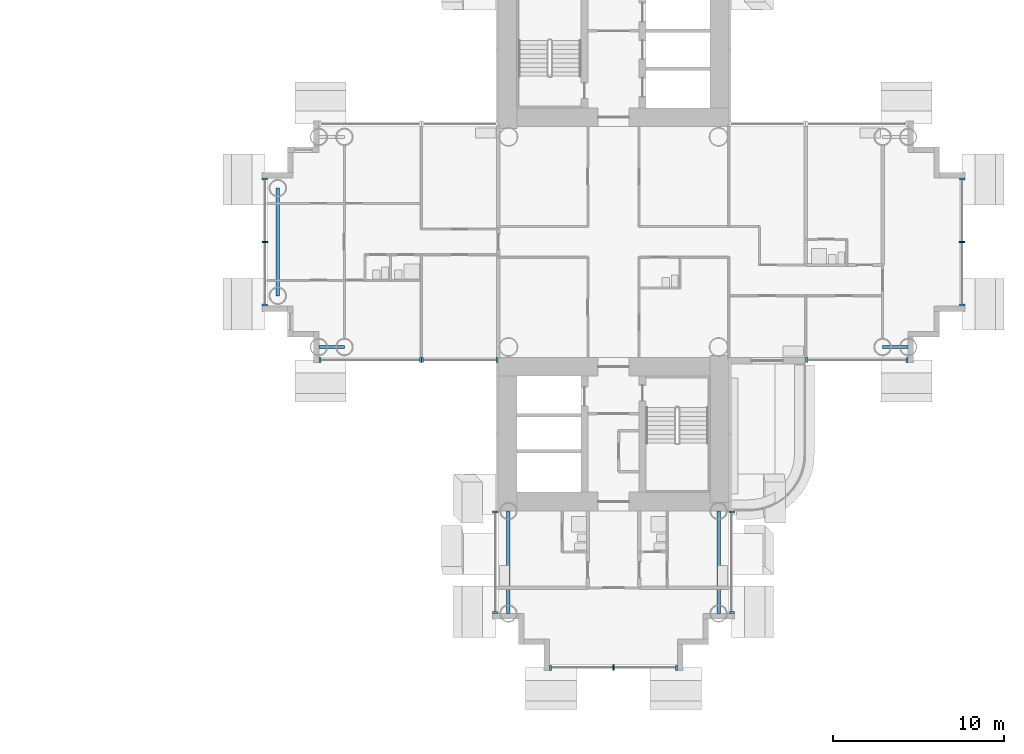
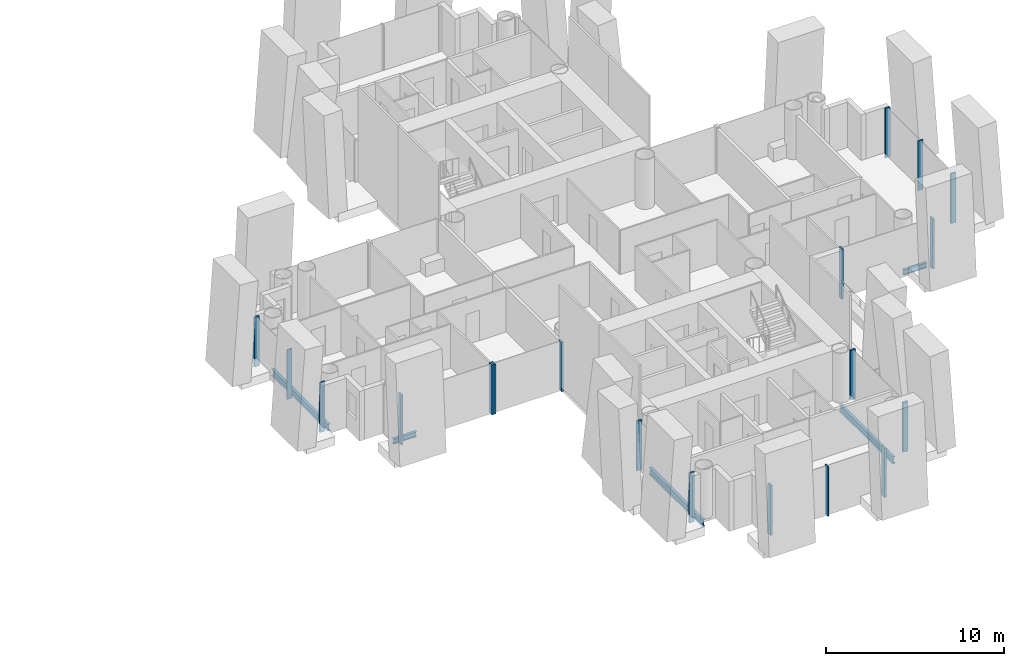
# One storey, part 6 of 25: 19 members, 5 beams, 8 elements without a shape of their own.
"""IFC4 building model written with IfcOpenShell, lengths in metres."""

from ifc_helpers import new_model, si_unit, direction, frame, origin, origin_2d, place, context, subcontext, project, spatial, rectangle, i_section, extrude, material, layer, layer_set, material_profile, profile_set, type_object, element, aggregate, save


model = new_model("IFC4")

# Units and contexts
model_context = context("Model", 3, precision=1e-05, world=origin(), true_north=direction((0.0, 1.0)))
body_context = subcontext(model_context, "Body", "Model", "MODEL_VIEW")
ifc_project = project(units=[si_unit("LENGTHUNIT", "METRE"), si_unit("AREAUNIT", "SQUARE_METRE"), si_unit("VOLUMEUNIT", "CUBIC_METRE"), si_unit("PLANEANGLEUNIT", "RADIAN"), si_unit("MASSUNIT", "GRAM", prefix="KILO")], contexts=[model_context])

# Site, building, storey
site_placement = place(None, origin())
site = spatial("IfcSite", under=ifc_project, at=site_placement, CompositionType="ELEMENT")
building_placement = place(site_placement, origin())
building = spatial("IfcBuilding", under=site, at=building_placement, Name="Ipe Terrace Towers", CompositionType="ELEMENT")
storey_placement = place(building_placement, frame((0.0, 0.0, 31.300048828125)))
storey = spatial("IfcBuildingStorey", under=building, at=storey_placement, Name="L07", CompositionType="ELEMENT", Elevation=31.300048828125)

# Beams
ifc_material_1 = material(Name="Steel S355", Category="steel")
ifc_material_profile_1 = material_profile(ifc_material_1, i_section(OverallWidth=0.175048828125, OverallDepth=0.35009765625, WebThickness=0.007080078125, FlangeThickness=0.010986328125, at=origin_2d()), Name="H-350x175x7x11")
ifc_profile_set_1 = profile_set([ifc_material_profile_1], Name="Steel S355")
beam_type_1 = type_object("IfcBeamType", Name="H04 EDGE BEAM H-350x175x7x11", PredefinedType="BEAM", material=ifc_profile_set_1)
for number, where, z_axis, x_axis, name in (
    (1, (20.25, -6.14990234375, -0.574951171875), (-1.0, 0.0, 0.0), (0.0, -1.0, 0.0), "Edge beam T2-EB-B04-B06"),
    (2, (51.75, -6.14990234375, -0.574951171875), (1.0, 0.0, 0.0), (0.0, 1.0, 0.0), "Edge beam T2-EB-D03-D05"),
):
    element("IfcBeam", number, at=place(storey_placement, frame(where, z_axis=z_axis, x_axis=x_axis)), inside=storey, type_object=beam_type_1, Name=name, PredefinedType="BEAM", context=body_context, shape_type="SweptSolid", body=[
        extrude(i_section(OverallWidth=0.175048828125, OverallDepth=0.35009765625, WebThickness=0.007080078125, FlangeThickness=0.010986328125, at=origin_2d()), origin(), (0.0, 0.0, 1.0), 1.5),
    ])
ifc_material_2 = material(Name="Steel S355", Category="steel")
ifc_material_profile_2 = material_profile(ifc_material_2, i_section(OverallWidth=0.199951171875, OverallDepth=0.449951171875, WebThickness=0.009033203125, FlangeThickness=0.013916015625, at=origin_2d()), Name="H-450x200x9x14")
ifc_profile_set_2 = profile_set([ifc_material_profile_2], Name="Steel S355")
beam_type_2 = type_object("IfcBeamType", Name="H08 EDGE BEAM H-450x200x9x14", PredefinedType="BEAM", material=ifc_profile_set_2)
beam_placement = place(storey_placement, frame((16.35009765625, 3.14990234375, -0.625), z_axis=(0.0, -1.0, 0.0), x_axis=(1.0, 0.0, 0.0)))
element("IfcBeam", 3, at=beam_placement, inside=storey, type_object=beam_type_2, Name="Edge beam T2-EB-B07-B08", PredefinedType="BEAM", context=body_context, shape_type="SweptSolid", body=[
    extrude(i_section(OverallWidth=0.199951171875, OverallDepth=0.449951171875, WebThickness=0.009033203125, FlangeThickness=0.013916015625, at=origin_2d()), origin(), (0.0, 0.0, 1.0), 6.2998046875),
])
for number, where, z_axis, x_axis, name in (
    (4, (42.14990234375, -15.75, -0.625), (0.0, -1.0, 0.0), (1.0, 0.0, 0.0), "Edge beam T2-EB-C01-C03"),
    (5, (29.85009765625, -15.75, -0.625), (0.0, -1.0, 0.0), (1.0, 0.0, 0.0), "Edge beam T2-EB-C02-C04"),
):
    element("IfcBeam", number, at=place(storey_placement, frame(where, z_axis=z_axis, x_axis=x_axis)), inside=storey, type_object=beam_type_2, Name=name, PredefinedType="BEAM", context=body_context, shape_type="SweptSolid", body=[
        extrude(i_section(OverallWidth=0.199951171875, OverallDepth=0.449951171875, WebThickness=0.009033203125, FlangeThickness=0.013916015625, at=origin_2d()), origin(), (0.0, 0.0, 1.0), 6.0),
    ])

# Curtain wall, members
ifc_material_3 = material(Name="Aluminium alloy 6063-T6", Category="aluminium")
ifc_layer = layer(ifc_material_3, 0.320068359375)
ifc_layer_set = layer_set([ifc_layer], Name="TOWER UNITISED CURTAIN WALL")
curtain_wall_type = type_object("IfcCurtainWallType", Name="TOWER UNITISED CURTAIN WALL", PredefinedType="NOTDEFINED", material=ifc_layer_set)
curtain_wall_1_placement = place(storey_placement, origin())
curtain_wall_1 = element("IfcCurtainWall", 6, at=curtain_wall_1_placement, inside=storey, type_object=curtain_wall_type, Name="T2-CW-L07-04a curtain wall", PredefinedType="NOTDEFINED")
ifc_material_4 = material(Name="Aluminium alloy 6063-T6", Category="aluminium")
ifc_material_profile_3 = material_profile(ifc_material_4, rectangle(XDim=0.320068359375, YDim=0.1201171875, at=origin_2d()), Name="TOWER UNITISED CORNER MULLION 320 x 120")
ifc_profile_set_3 = profile_set([ifc_material_profile_3], Name="Aluminium alloy 6063-T6")
member_type_1 = type_object("IfcMemberType", Name="TOWER UNITISED CORNER MULLION 320 x 120", PredefinedType="MULLION", material=ifc_profile_set_3)
member_1_placement = place(storey_placement, frame((42.909912109375, -21.68994140625, -0.300048828125), z_axis=(0.0, 0.0, 1.0), x_axis=(1.0, 0.0, 0.0)))
member_1 = element("IfcMember", 7, at=member_1_placement, type_object=member_type_1, Name="T2-CW-L07-04a mullion 1", PredefinedType="MULLION", context=body_context, shape_type="SweptSolid", body=[
    extrude(rectangle(XDim=0.320068359375, YDim=0.1201171875, at=origin_2d()), origin(), (0.0, 0.0, 1.0), 3.39990234375),
])
member_2_placement = place(storey_placement, frame((42.909912109375, -15.81103515625, -0.300048828125), z_axis=(0.0, 0.0, 1.0), x_axis=(1.0, 0.0, 0.0)))
member_2 = element("IfcMember", 8, at=member_2_placement, type_object=member_type_1, Name="T2-CW-L07-04a mullion 2", PredefinedType="MULLION", context=body_context, shape_type="SweptSolid", body=[
    extrude(rectangle(XDim=0.320068359375, YDim=0.1201171875, at=origin_2d()), origin(), (0.0, 0.0, 1.0), 3.39990234375),
])
aggregate(curtain_wall_1, [member_1, member_2])

curtain_wall_2_placement = place(storey_placement, origin())
curtain_wall_2 = element("IfcCurtainWall", 9, at=curtain_wall_2_placement, inside=storey, type_object=curtain_wall_type, Name="T2-CW-L07-07a curtain wall", PredefinedType="NOTDEFINED")
member_3_placement = place(storey_placement, frame((47.31005859375, -6.909912109375, -0.300048828125), z_axis=(0.0, 0.0, 1.0), x_axis=(0.0, -1.0, 0.0)))
member_3 = element("IfcMember", 10, at=member_3_placement, type_object=member_type_1, Name="T2-CW-L07-07a mullion 1", PredefinedType="MULLION", context=body_context, shape_type="SweptSolid", body=[
    extrude(rectangle(XDim=0.320068359375, YDim=0.1201171875, at=origin_2d()), origin(), (0.0, 0.0, 1.0), 3.39990234375),
])
member_4_placement = place(storey_placement, frame((53.18994140625, -6.909912109375, -0.300048828125), z_axis=(0.0, 0.0, 1.0), x_axis=(0.0, -1.0, 0.0)))
member_4 = element("IfcMember", 11, at=member_4_placement, type_object=member_type_1, Name="T2-CW-L07-07a mullion 2", PredefinedType="MULLION", context=body_context, shape_type="SweptSolid", body=[
    extrude(rectangle(XDim=0.320068359375, YDim=0.1201171875, at=origin_2d()), origin(), (0.0, 0.0, 1.0), 3.39990234375),
])
aggregate(curtain_wall_2, [member_3, member_4])

curtain_wall_3_placement = place(storey_placement, origin())
curtain_wall_3 = element("IfcCurtainWall", 12, at=curtain_wall_3_placement, inside=storey, type_object=curtain_wall_type, Name="T2-CW-L07-12a curtain wall", PredefinedType="NOTDEFINED")
member_5_placement = place(storey_placement, frame((56.409912109375, -3.68994140625, -0.300048828125), z_axis=(0.0, 0.0, 1.0), x_axis=(1.0, 0.0, 0.0)))
member_5 = element("IfcMember", 13, at=member_5_placement, type_object=member_type_1, Name="T2-CW-L07-12a mullion 1", PredefinedType="MULLION", context=body_context, shape_type="SweptSolid", body=[
    extrude(rectangle(XDim=0.320068359375, YDim=0.1201171875, at=origin_2d()), origin(), (0.0, 0.0, 1.0), 3.39990234375),
])
member_6_placement = place(storey_placement, frame((56.409912109375, 3.68994140625, -0.300048828125), z_axis=(0.0, 0.0, 1.0), x_axis=(1.0, 0.0, 0.0)))
member_6 = element("IfcMember", 14, at=member_6_placement, type_object=member_type_1, Name="T2-CW-L07-12a mullion 3", PredefinedType="MULLION", context=body_context, shape_type="SweptSolid", body=[
    extrude(rectangle(XDim=0.320068359375, YDim=0.1201171875, at=origin_2d()), origin(), (0.0, 0.0, 1.0), 3.39990234375),
])

curtain_wall_4_placement = place(storey_placement, origin())
curtain_wall_4 = element("IfcCurtainWall", 15, at=curtain_wall_4_placement, inside=storey, type_object=curtain_wall_type, Name="T2-CW-L07-38a curtain wall", PredefinedType="NOTDEFINED")
member_7_placement = place(storey_placement, frame((15.590087890625, 3.68994140625, -0.300048828125), z_axis=(0.0, 0.0, 1.0), x_axis=(-1.0, 0.0, 0.0)))
member_7 = element("IfcMember", 16, at=member_7_placement, type_object=member_type_1, Name="T2-CW-L07-38a mullion 1", PredefinedType="MULLION", context=body_context, shape_type="SweptSolid", body=[
    extrude(rectangle(XDim=0.320068359375, YDim=0.1201171875, at=origin_2d()), origin(), (0.0, 0.0, 1.0), 3.39990234375),
])
member_8_placement = place(storey_placement, frame((15.590087890625, -3.68994140625, -0.300048828125), z_axis=(0.0, 0.0, 1.0), x_axis=(-1.0, 0.0, 0.0)))
member_8 = element("IfcMember", 17, at=member_8_placement, type_object=member_type_1, Name="T2-CW-L07-38a mullion 3", PredefinedType="MULLION", context=body_context, shape_type="SweptSolid", body=[
    extrude(rectangle(XDim=0.320068359375, YDim=0.1201171875, at=origin_2d()), origin(), (0.0, 0.0, 1.0), 3.39990234375),
])

curtain_wall_5_placement = place(storey_placement, origin())
curtain_wall_5 = element("IfcCurtainWall", 18, at=curtain_wall_5_placement, inside=storey, type_object=curtain_wall_type, Name="T2-CW-L07-43a curtain wall", PredefinedType="NOTDEFINED")
member_9_placement = place(storey_placement, frame((18.81005859375, -6.909912109375, -0.300048828125), z_axis=(0.0, 0.0, 1.0), x_axis=(0.0, -1.0, 0.0)))
member_9 = element("IfcMember", 19, at=member_9_placement, type_object=member_type_1, Name="T2-CW-L07-43a mullion 1", PredefinedType="MULLION", context=body_context, shape_type="SweptSolid", body=[
    extrude(rectangle(XDim=0.320068359375, YDim=0.1201171875, at=origin_2d()), origin(), (0.0, 0.0, 1.0), 3.39990234375),
])
member_10_placement = place(storey_placement, frame((24.68994140625, -6.909912109375, -0.300048828125), z_axis=(0.0, 0.0, 1.0), x_axis=(0.0, -1.0, 0.0)))
member_10 = element("IfcMember", 20, at=member_10_placement, type_object=member_type_1, Name="T2-CW-L07-43a mullion 2", PredefinedType="MULLION", context=body_context, shape_type="SweptSolid", body=[
    extrude(rectangle(XDim=0.320068359375, YDim=0.1201171875, at=origin_2d()), origin(), (0.0, 0.0, 1.0), 3.39990234375),
])
aggregate(curtain_wall_5, [member_9, member_10])

curtain_wall_6_placement = place(storey_placement, origin())
curtain_wall_6 = element("IfcCurtainWall", 21, at=curtain_wall_6_placement, inside=storey, type_object=curtain_wall_type, Name="T2-CW-L07-44a curtain wall", PredefinedType="NOTDEFINED")
member_11_placement = place(storey_placement, frame((24.81005859375, -6.909912109375, -0.300048828125), z_axis=(0.0, 0.0, 1.0), x_axis=(0.0, -1.0, 0.0)))
member_11 = element("IfcMember", 22, at=member_11_placement, type_object=member_type_1, Name="T2-CW-L07-44a mullion 1", PredefinedType="MULLION", context=body_context, shape_type="SweptSolid", body=[
    extrude(rectangle(XDim=0.320068359375, YDim=0.1201171875, at=origin_2d()), origin(), (0.0, 0.0, 1.0), 3.39990234375),
])
member_12_placement = place(storey_placement, frame((29.18994140625, -6.909912109375, -0.300048828125), z_axis=(0.0, 0.0, 1.0), x_axis=(0.0, -1.0, 0.0)))
member_12 = element("IfcMember", 23, at=member_12_placement, type_object=member_type_1, Name="T2-CW-L07-44a mullion 2", PredefinedType="MULLION", context=body_context, shape_type="SweptSolid", body=[
    extrude(rectangle(XDim=0.320068359375, YDim=0.1201171875, at=origin_2d()), origin(), (0.0, 0.0, 1.0), 3.39990234375),
])
aggregate(curtain_wall_6, [member_11, member_12])

curtain_wall_7_placement = place(storey_placement, origin())
curtain_wall_7 = element("IfcCurtainWall", 24, at=curtain_wall_7_placement, inside=storey, type_object=curtain_wall_type, Name="T2-CW-L07-46b curtain wall", PredefinedType="NOTDEFINED")
member_13_placement = place(storey_placement, frame((29.090087890625, -15.81103515625, -0.300048828125), z_axis=(0.0, 0.0, 1.0), x_axis=(-1.0, 0.0, 0.0)))
member_13 = element("IfcMember", 25, at=member_13_placement, type_object=member_type_1, Name="T2-CW-L07-46b mullion 1", PredefinedType="MULLION", context=body_context, shape_type="SweptSolid", body=[
    extrude(rectangle(XDim=0.320068359375, YDim=0.1201171875, at=origin_2d()), origin(), (0.0, 0.0, 1.0), 3.39990234375),
])
member_14_placement = place(storey_placement, frame((29.090087890625, -21.68994140625, -0.300048828125), z_axis=(0.0, 0.0, 1.0), x_axis=(-1.0, 0.0, 0.0)))
member_14 = element("IfcMember", 26, at=member_14_placement, type_object=member_type_1, Name="T2-CW-L07-46b mullion 2", PredefinedType="MULLION", context=body_context, shape_type="SweptSolid", body=[
    extrude(rectangle(XDim=0.320068359375, YDim=0.1201171875, at=origin_2d()), origin(), (0.0, 0.0, 1.0), 3.39990234375),
])
aggregate(curtain_wall_7, [member_13, member_14])

curtain_wall_8_placement = place(storey_placement, origin())
curtain_wall_8 = element("IfcCurtainWall", 27, at=curtain_wall_8_placement, inside=storey, type_object=curtain_wall_type, Name="T2-CW-L07-51a curtain wall", PredefinedType="NOTDEFINED")
member_15_placement = place(storey_placement, frame((32.31005859375, -24.909912109375, -0.300048828125), z_axis=(0.0, 0.0, 1.0), x_axis=(0.0, -1.0, 0.0)))
member_15 = element("IfcMember", 28, at=member_15_placement, type_object=member_type_1, Name="T2-CW-L07-51a mullion 1", PredefinedType="MULLION", context=body_context, shape_type="SweptSolid", body=[
    extrude(rectangle(XDim=0.320068359375, YDim=0.1201171875, at=origin_2d()), origin(), (0.0, 0.0, 1.0), 3.39990234375),
])
member_16_placement = place(storey_placement, frame((39.68994140625, -24.909912109375, -0.300048828125), z_axis=(0.0, 0.0, 1.0), x_axis=(0.0, -1.0, 0.0)))
member_16 = element("IfcMember", 29, at=member_16_placement, type_object=member_type_1, Name="T2-CW-L07-51a mullion 3", PredefinedType="MULLION", context=body_context, shape_type="SweptSolid", body=[
    extrude(rectangle(XDim=0.320068359375, YDim=0.1201171875, at=origin_2d()), origin(), (0.0, 0.0, 1.0), 3.39990234375),
])

# Member
ifc_material_5 = material(Name="Aluminium alloy 6063-T6", Category="aluminium")
ifc_material_profile_4 = material_profile(ifc_material_5, rectangle(XDim=0.320068359375, YDim=0.06494140625, at=origin_2d()), Name="TOWER UNITISED MULLION 320 x 65")
ifc_profile_set_4 = profile_set([ifc_material_profile_4], Name="Aluminium alloy 6063-T6")
member_type_2 = type_object("IfcMemberType", Name="TOWER UNITISED MULLION 320 x 65", PredefinedType="MULLION", material=ifc_profile_set_4)
member_17_placement = place(storey_placement, frame((56.409912109375, 0.0, -0.300048828125), z_axis=(0.0, 0.0, 1.0), x_axis=(1.0, 0.0, 0.0)))
member_17 = element("IfcMember", 30, at=member_17_placement, type_object=member_type_2, Name="T2-CW-L07-12a mullion 2", PredefinedType="MULLION", context=body_context, shape_type="SweptSolid", body=[
    extrude(rectangle(XDim=0.320068359375, YDim=0.06494140625, at=origin_2d()), origin(), (0.0, 0.0, 1.0), 3.39990234375),
])

aggregate(curtain_wall_3, [member_5, member_17, member_6])

member_18_placement = place(storey_placement, frame((15.590087890625, 0.0, -0.300048828125), z_axis=(0.0, 0.0, 1.0), x_axis=(-1.0, 0.0, 0.0)))
member_18 = element("IfcMember", 31, at=member_18_placement, type_object=member_type_2, Name="T2-CW-L07-38a mullion 2", PredefinedType="MULLION", context=body_context, shape_type="SweptSolid", body=[
    extrude(rectangle(XDim=0.320068359375, YDim=0.06494140625, at=origin_2d()), origin(), (0.0, 0.0, 1.0), 3.39990234375),
])

aggregate(curtain_wall_4, [member_7, member_18, member_8])

member_19_placement = place(storey_placement, frame((36.0, -24.909912109375, -0.300048828125), z_axis=(0.0, 0.0, 1.0), x_axis=(0.0, -1.0, 0.0)))
member_19 = element("IfcMember", 32, at=member_19_placement, type_object=member_type_2, Name="T2-CW-L07-51a mullion 2", PredefinedType="MULLION", context=body_context, shape_type="SweptSolid", body=[
    extrude(rectangle(XDim=0.320068359375, YDim=0.06494140625, at=origin_2d()), origin(), (0.0, 0.0, 1.0), 3.39990234375),
])

aggregate(curtain_wall_8, [member_15, member_19, member_16])

save(model, "model.ifc")
